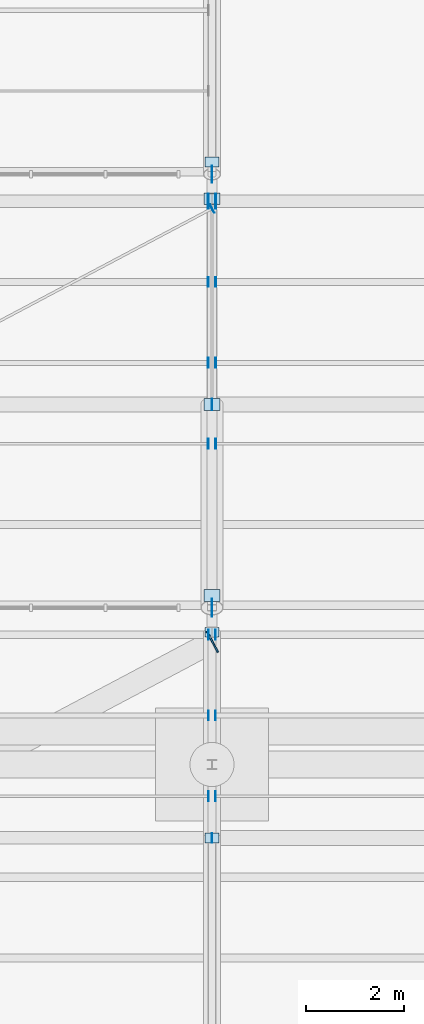
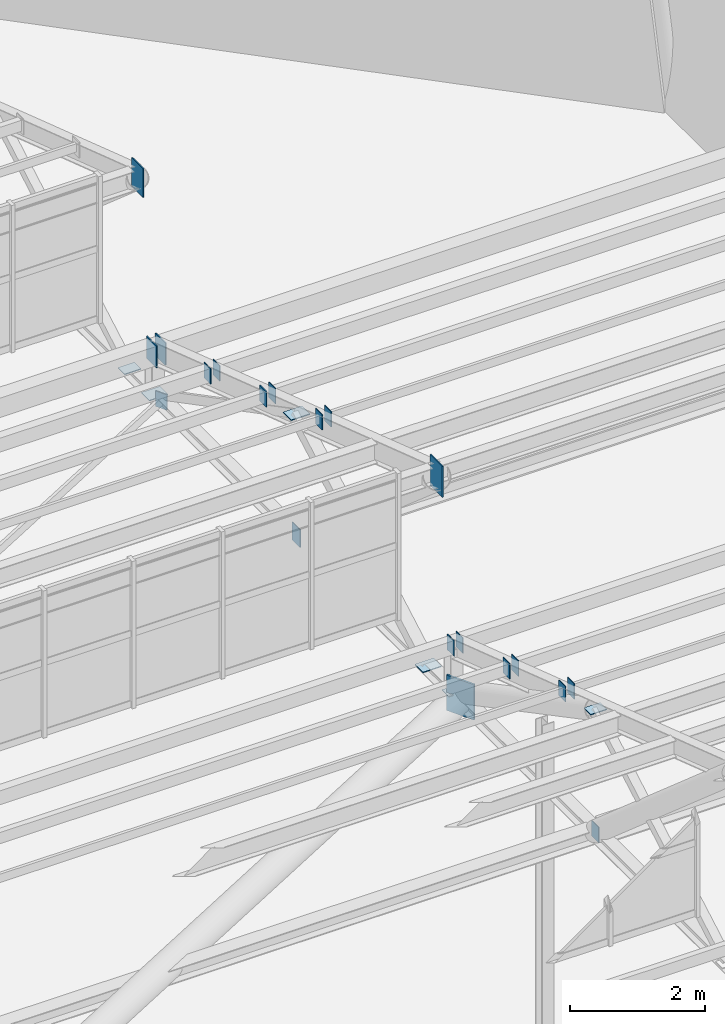
# One storey, part 232 of 285: 26 plates.
"""IFC4 building model written with IfcOpenShell, lengths in metres."""

from ifc_helpers import new_model, si_unit, direction, frame, origin, origin_2d, place, context, subcontext, project, spatial, rectangle, extrude, material, layer, layer_set, type_object, element, save


model = new_model("IFC4")

# Units and contexts
model_context = context("Model", 3, precision=1e-05, world=origin(), true_north=direction((0.0, 1.0)))
body_context = subcontext(model_context, "Body", "Model", "MODEL_VIEW")
ifc_project = project(units=[si_unit("LENGTHUNIT", "METRE"), si_unit("AREAUNIT", "SQUARE_METRE"), si_unit("VOLUMEUNIT", "CUBIC_METRE"), si_unit("PLANEANGLEUNIT", "RADIAN"), si_unit("MASSUNIT", "GRAM", prefix="KILO")], contexts=[model_context])

# Site, building, storey
site_placement = place(None, origin())
site = spatial("IfcSite", under=ifc_project, at=site_placement, CompositionType="ELEMENT")
building_placement = place(site_placement, origin())
building = spatial("IfcBuilding", under=site, at=building_placement, Name="Solanera Park Tramway Depot", CompositionType="ELEMENT")
storey_placement = place(building_placement, origin())
storey = spatial("IfcBuildingStorey", under=building, at=storey_placement, Name="L00", CompositionType="ELEMENT", Elevation=0.0)

# Plates
ifc_material_1 = material(Name="Steel AS/NZS 3679.1 Grade 350", Category="steel")
ifc_layer_1 = layer(ifc_material_1, 0.013916015625)
ifc_layer_set_1 = layer_set([ifc_layer_1], Name="Steel AS/NZS 3679.1 Grade 350")
plate_type_1 = type_object("IfcPlateType", Name="Hollow End Cap and Base Plate 280x200x14", PredefinedType="USERDEFINED", material=ifc_layer_set_1)
plate_1_placement = place(storey_placement, frame((135.0, 113.0, 6.35986328125), z_axis=(0.0, 0.0, 1.0), x_axis=(1.0, 0.0, 0.0)))
element("IfcPlate", 1, at=plate_1_placement, inside=storey, type_object=plate_type_1, Name="Sawtooth Truss Hollow End Cap #0674", ObjectType="BASE PLATE", PredefinedType="USERDEFINED", context=body_context, shape_type="SweptSolid", body=[
    extrude(rectangle(XDim=0.013916015625, YDim=0.199951171875, at=origin_2d()), origin(), (0.0, 0.0, 1.0), 0.280029296875),
])
for number, where, z_axis, x_axis, name in (
    (2, (135.0, 117.199951171875, 6.4931640625), (0.0, 0.0, 1.0), (1.0, 0.0, 0.0), "Sawtooth Truss Node Cap Plate #0675"),
    (3, (135.0, 113.0, 8.71142578125), (0.0, 0.0, 1.0), (1.0, 0.0, 0.0), "Sawtooth Truss Node Cap Plate #0676"),
):
    element("IfcPlate", number, at=place(storey_placement, frame(where, z_axis=z_axis, x_axis=x_axis)), inside=storey, type_object=plate_type_1, Name=name, ObjectType="BASE PLATE", PredefinedType="USERDEFINED", context=body_context, shape_type="SweptSolid", body=[
        extrude(rectangle(XDim=0.280029296875, YDim=0.199951171875, at=origin_2d()), origin(), (0.0, 0.0, 1.0), 0.013916015625),
    ])
for number, where, z_axis, x_axis, name in (
    (4, (134.92529296875, 113.85009765625, 8.41064453125), (0.0, 0.0, 1.0), (1.0, 0.0, 0.0), "Hollow Section Welded End Cap Plate #0700"),
    (5, (135.07470703125, 113.85009765625, 8.41064453125), (0.0, 0.0, 1.0), (1.0, 0.0, 0.0), "Hollow Section Welded End Cap Plate #0701"),
    (6, (134.92529296875, 115.5, 7.8251953125), (0.0, 0.0, 1.0), (1.0, 0.0, 0.0), "Hollow Section Welded End Cap Plate #0720"),
    (7, (135.07470703125, 115.5, 7.8251953125), (0.0, 0.0, 1.0), (1.0, 0.0, 0.0), "Hollow Section Welded End Cap Plate #0721"),
    (8, (134.92529296875, 117.14990234375, 7.23974609375), (0.0, 0.0, 1.0), (1.0, 0.0, 0.0), "Hollow Section Welded End Cap Plate #0740"),
    (9, (135.07470703125, 117.14990234375, 7.23974609375), (0.0, 0.0, 1.0), (1.0, 0.0, 0.0), "Hollow Section Welded End Cap Plate #0741"),
    (10, (134.922119140625, 121.050048828125, 8.96240234375), (0.0, 0.0, 1.0), (1.0, 0.0, 0.0), "Hollow Section Welded End Cap Plate #0829"),
    (11, (135.077880859375, 121.050048828125, 8.96240234375), (0.0, 0.0, 1.0), (1.0, 0.0, 0.0), "Hollow Section Welded End Cap Plate #0830"),
    (12, (134.922119140625, 122.699951171875, 8.376953125), (0.0, 0.0, 1.0), (1.0, 0.0, 0.0), "Hollow Section Welded End Cap Plate #0849"),
    (13, (135.077880859375, 122.699951171875, 8.376953125), (0.0, 0.0, 1.0), (1.0, 0.0, 0.0), "Hollow Section Welded End Cap Plate #0850"),
    (14, (134.922119140625, 124.35009765625, 7.79150390625), (0.0, 0.0, 1.0), (1.0, 0.0, 0.0), "Hollow Section Welded End Cap Plate #0869"),
    (15, (135.077880859375, 124.35009765625, 7.79150390625), (0.0, 0.0, 1.0), (1.0, 0.0, 0.0), "Hollow Section Welded End Cap Plate #0870"),
    (16, (135.000732421875, 125.851318359375, 6.35986328125), (0.0, 0.0, 1.0), (0.883520501477, 0.468392488698, 0.0), "Hollow Section Welded End Cap Plate #0903"),
):
    element("IfcPlate", number, at=place(storey_placement, frame(where, z_axis=z_axis, x_axis=x_axis)), inside=storey, type_object=plate_type_1, Name=name, ObjectType="BASE PLATE", PredefinedType="USERDEFINED", context=body_context, shape_type="SweptSolid", body=[
        extrude(rectangle(XDim=0.013916015625, YDim=0.199951171875, at=origin_2d()), origin(), (0.0, 0.0, 1.0), 0.280029296875),
    ])
plate_2_placement = place(storey_placement, frame((135.0, 126.800048828125, 6.4931640625), z_axis=(0.0, 0.0, 1.0), x_axis=(1.0, 0.0, 0.0)))
element("IfcPlate", 17, at=plate_2_placement, inside=storey, type_object=plate_type_1, Name="Sawtooth Truss Node Cap Plate #0943", ObjectType="BASE PLATE", PredefinedType="USERDEFINED", context=body_context, shape_type="SweptSolid", body=[
    extrude(rectangle(XDim=0.280029296875, YDim=0.199951171875, at=origin_2d()), origin(), (0.0, 0.0, 1.0), 0.013916015625),
])
ifc_material_2 = material(Name="Steel AS/NZS 3679.1 Grade 350", Category="steel")
ifc_layer_2 = layer(ifc_material_2, 0.01611328125)
ifc_layer_set_2 = layer_set([ifc_layer_2], Name="Steel AS/NZS 3679.1 Grade 350")
plate_type_2 = type_object("IfcPlateType", Name="Hollow End Cap and Base Plate 320x240x16", PredefinedType="USERDEFINED", material=ifc_layer_set_2)
plate_3_placement = place(storey_placement, frame((135.0, 121.85009765625, 6.33984375), z_axis=(0.0, 0.0, 1.0), x_axis=(1.0, 0.0, 0.0)))
element("IfcPlate", 18, at=plate_3_placement, inside=storey, type_object=plate_type_2, Name="Sawtooth Truss Hollow End Cap #0803", ObjectType="BASE PLATE", PredefinedType="USERDEFINED", context=body_context, shape_type="SweptSolid", body=[
    extrude(rectangle(XDim=0.01611328125, YDim=0.239990234375, at=origin_2d()), origin(), (0.0, 0.0, 1.0), 0.320068359375),
])
for number, where, z_axis, x_axis, name in (
    (19, (135.0, 126.050048828125, 6.491943359375), (0.0, 0.0, 1.0), (1.0, 0.0, 0.0), "Sawtooth Truss Node Cap Plate #0804"),
    (20, (135.0, 121.85009765625, 8.68505859375), (0.0, 0.0, 1.0), (1.0, 0.0, 0.0), "Sawtooth Truss Node Cap Plate #0805"),
    (21, (135.0, 117.949951171875, 6.491943359375), (0.0, 0.0, 1.0), (1.0, 0.0, 0.0), "Sawtooth Truss Node Cap Plate #0806"),
):
    element("IfcPlate", number, at=place(storey_placement, frame(where, z_axis=z_axis, x_axis=x_axis)), inside=storey, type_object=plate_type_2, Name=name, ObjectType="BASE PLATE", PredefinedType="USERDEFINED", context=body_context, shape_type="SweptSolid", body=[
        extrude(rectangle(XDim=0.320068359375, YDim=0.239990234375, at=origin_2d()), origin(), (0.0, 0.0, 1.0), 0.01611328125),
    ])
ifc_material_3 = material(Name="Steel AS/NZS 3679.1 Grade 350", Category="steel")
ifc_layer_3 = layer(ifc_material_3, 0.02001953125)
ifc_layer_set_3 = layer_set([ifc_layer_3], Name="Steel AS/NZS 3679.1 Grade 350")
plate_type_3 = type_object("IfcPlateType", Name="Hollow End Cap and Base Plate 400x300x20", PredefinedType="USERDEFINED", material=ifc_layer_set_3)
for number, where, z_axis, x_axis, name in (
    (22, (134.925048828125, 126.0, 7.11279296875), (0.0, 0.0, 1.0), (1.0, 0.0, 0.0), "Hollow Section Welded End Cap Plate #0889"),
    (23, (135.074951171875, 126.0, 7.11279296875), (0.0, 0.0, 1.0), (1.0, 0.0, 0.0), "Hollow Section Welded End Cap Plate #0890"),
):
    element("IfcPlate", number, at=place(storey_placement, frame(where, z_axis=z_axis, x_axis=x_axis)), inside=storey, type_object=plate_type_3, Name=name, ObjectType="BASE PLATE", PredefinedType="USERDEFINED", context=body_context, shape_type="SweptSolid", body=[
        extrude(rectangle(XDim=0.02001953125, YDim=0.300048828125, at=origin_2d()), origin(), (0.0, 0.0, 1.0), 0.39990234375),
    ])
ifc_material_4 = material(Name="Steel AS/NZS 3679.1 Grade 350", Category="steel")
ifc_layer_4 = layer(ifc_material_4, 0.031982421875)
ifc_layer_set_4 = layer_set([ifc_layer_4], Name="Steel AS/NZS 3679.1 Grade 350")
plate_type_4 = type_object("IfcPlateType", Name="Hollow End Cap and Base Plate 640x480x32", PredefinedType="USERDEFINED", material=ifc_layer_set_4)
plate_4_placement = place(storey_placement, frame((135.008544921875, 117.005615234375, 6.18017578125), z_axis=(0.0, 0.0, 1.0), x_axis=(0.883520501477, 0.468392488698, 0.0)))
element("IfcPlate", 24, at=plate_4_placement, inside=storey, type_object=plate_type_4, Name="Hollow Section Welded End Cap Plate #0756", ObjectType="BASE PLATE", PredefinedType="USERDEFINED", context=body_context, shape_type="SweptSolid", body=[
    extrude(rectangle(XDim=0.031982421875, YDim=0.47998046875, at=origin_2d()), origin(), (0.0, 0.0, 1.0), 0.639892578125),
])
ifc_material_5 = material(Name="Steel AS/NZS 3679.1 Grade 350", Category="steel")
ifc_layer_5 = layer(ifc_material_5, 0.01806640625)
ifc_layer_set_5 = layer_set([ifc_layer_5], Name="Steel AS/NZS 3679.1 Grade 350")
plate_type_5 = type_object("IfcPlateType", Name="Truss Node Gusset Stiffener 520x340x18", PredefinedType="SHEET", material=ifc_layer_set_5)
plate_5_placement = place(storey_placement, frame((135.0, 126.550048828125, 9.846923828125), z_axis=(0.0, 0.0, 1.0), x_axis=(1.0, 0.0, 0.0)))
element("IfcPlate", 25, at=plate_5_placement, inside=storey, type_object=plate_type_5, Name="Sawtooth Truss Apex Gusset Plate #0939", PredefinedType="SHEET", context=body_context, shape_type="SweptSolid", body=[
    extrude(rectangle(XDim=0.01806640625, YDim=0.340087890625, at=origin_2d()), origin(), (0.0, 0.0, 1.0), 0.52001953125),
])
ifc_material_6 = material(Name="Steel AS/NZS 3679.1 Grade 350", Category="steel")
ifc_layer_6 = layer(ifc_material_6, 0.02001953125)
ifc_layer_set_6 = layer_set([ifc_layer_6], Name="Steel AS/NZS 3679.1 Grade 350")
plate_type_6 = type_object("IfcPlateType", Name="Truss Node Gusset Stiffener 560x360x20", PredefinedType="SHEET", material=ifc_layer_set_6)
plate_6_placement = place(storey_placement, frame((135.0, 117.699951171875, 9.801513671875), z_axis=(0.0, 0.0, 1.0), x_axis=(1.0, 0.0, 0.0)))
element("IfcPlate", 26, at=plate_6_placement, inside=storey, type_object=plate_type_6, Name="Sawtooth Truss Apex Gusset Plate #0802", PredefinedType="SHEET", context=body_context, shape_type="SweptSolid", body=[
    extrude(rectangle(XDim=0.02001953125, YDim=0.360107421875, at=origin_2d()), origin(), (0.0, 0.0, 1.0), 0.56005859375),
])

save(model, "model.ifc")
